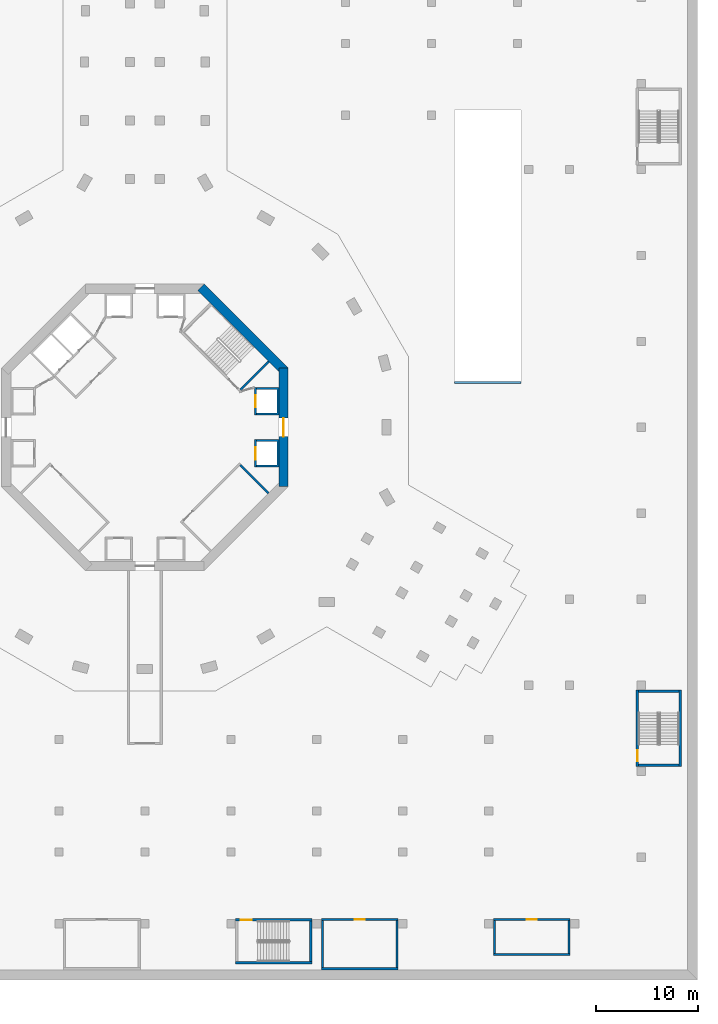
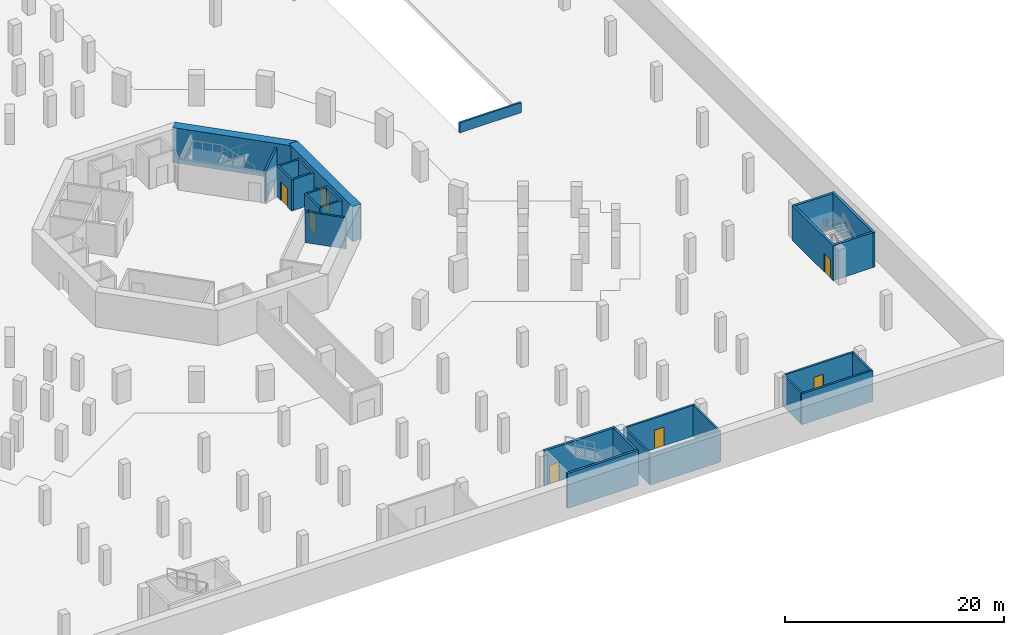
# One storey, part 8 of 25: 24 walls, 7 doors, 7 openings.
"""IFC4 building model written with IfcOpenShell, lengths in metres."""

from ifc_helpers import new_model, si_unit, direction, frame, frame_2d, origin, place, context, subcontext, project, spatial, polyline, rectangle, outline, extrude, material, layer, layer_set, type_object, element, fill, save


model = new_model("IFC4")

# Units and contexts
model_context = context("Model", 3, precision=1e-05, world=origin(), true_north=direction((0.0, 1.0)))
body_context = subcontext(model_context, "Body", "Model", "MODEL_VIEW")
ifc_project = project(units=[si_unit("LENGTHUNIT", "METRE"), si_unit("AREAUNIT", "SQUARE_METRE"), si_unit("VOLUMEUNIT", "CUBIC_METRE"), si_unit("PLANEANGLEUNIT", "RADIAN"), si_unit("MASSUNIT", "GRAM", prefix="KILO")], contexts=[model_context])

# Site, building, storey
site_placement = place(None, origin())
site = spatial("IfcSite", under=ifc_project, at=site_placement, CompositionType="ELEMENT")
building_placement = place(site_placement, origin())
building = spatial("IfcBuilding", under=site, at=building_placement, Name="Verdalira Terraces Hotel", CompositionType="ELEMENT")
storey_placement = place(building_placement, frame((0.0, 0.0, -7.800049)))
storey = spatial("IfcBuildingStorey", under=building, at=storey_placement, Name="B2", CompositionType="ELEMENT", Elevation=-7.800048828125)

# Wall
ifc_material_1 = material(Name="Concrete C50", Category="concrete")
ifc_layer_1 = layer(ifc_material_1, 0.199951171875)
ifc_layer_set_1 = layer_set([ifc_layer_1], Name="Core RC wall 200 C50")
wall_type_1 = type_object("IfcWallType", Name="Core RC wall 200 C50", PredefinedType="SOLIDWALL", material=ifc_layer_set_1)
wall_1_placement = place(storey_placement, origin())
element("IfcWall", 1, at=wall_1_placement, inside=storey, type_object=wall_type_1, Name="B2 shaft wall E1", PredefinedType="SOLIDWALL", context=body_context, shape_type="SweptSolid", body=[
    extrude(outline(polyline([(13.100098, -3.899902), (10.899902, -3.899902), (10.899902, -3.699951), (12.899902, -3.699951), (12.899902, -1.399902), (10.899902, -1.399902), (10.899902, -1.199951), (13.100098, -1.199951), (13.100098, -3.899902)])), origin(), (0.0, 0.0, 1.0), 3.449951),
])

# Wall, opening, door
wall_2_placement = place(storey_placement, frame((10.800049, -1.199951, 0.0), z_axis=(0.0, 0.0, 1.0), x_axis=(0.0, -1.0, 0.0)))
wall_2 = element("IfcWall", 2, at=wall_2_placement, inside=storey, type_object=wall_type_1, Name="B2 shaft front wall E1", PredefinedType="SOLIDWALL", context=body_context, shape_type="SweptSolid", body=[
    extrude(rectangle(XDim=2.699951, YDim=0.199951, at=frame_2d((1.350098, 0.0))), origin(), (0.0, 0.0, 1.0), 3.449951),
])
opening_1_placement = place(wall_2_placement, frame((0.75, 0.0, 0.0)))
opening_1 = element("IfcOpeningElement", 3, at=opening_1_placement, cuts=wall_2, Name="Opening LD-B2-805", PredefinedType="OPENING", context=body_context, shape_type="SweptSolid", body=[
    extrude(rectangle(XDim=1.199951, YDim=2.100098, at=frame_2d((0.600098, 1.050049))), frame((0.0, 0.109863, 0.0), z_axis=(0.0, -1.0, 0.0), x_axis=(1.0, 0.0, 0.0)), (0.0, 0.0, 1.0), 0.219971),
])
ifc_material_2 = material(Name="Stainless steel", Category="steel")
door_type_1 = type_object("IfcDoorType", Name="Landing door 1200 x 2100", OperationType="NOTDEFINED", PredefinedType="DOOR", material=ifc_material_2)
door_1_placement = place(opening_1_placement, origin())
door_1 = element("IfcDoor", 4, at=door_1_placement, inside=storey, type_object=door_type_1, Name="Lift landing door LR1 B2", OperationType="DOUBLE_DOOR_SLIDING", OverallHeight=2.10009765625, OverallWidth=1.199951171875, PredefinedType="DOOR", context=body_context, shape_type="SweptSolid", body=[
    extrude(rectangle(XDim=1.199951, YDim=2.100098, at=frame_2d((0.600098, 1.050049))), frame((0.0, 0.024902, 0.0), z_axis=(0.0, -1.0, 0.0), x_axis=(1.0, 0.0, 0.0)), (0.0, 0.0, 1.0), 0.050049),
])
fill(opening_1, door_1)

# Wall
wall_3_placement = place(storey_placement, origin())
element("IfcWall", 5, at=wall_3_placement, inside=storey, type_object=wall_type_1, Name="B2 shaft wall E2", PredefinedType="SOLIDWALL", context=body_context, shape_type="SweptSolid", body=[
    extrude(outline(polyline([(13.100098, 3.899902), (13.100098, 1.199951), (10.899902, 1.199951), (10.899902, 1.399902), (12.899902, 1.399902), (12.899902, 3.699951), (10.899902, 3.699951), (10.899902, 3.899902), (13.100098, 3.899902)])), origin(), (0.0, 0.0, 1.0), 3.449951),
])

# Wall, opening, door
wall_4_placement = place(storey_placement, frame((10.800049, 1.199951, 0.0), z_axis=(0.0, 0.0, 1.0), x_axis=(0.0, 1.0, 0.0)))
wall_4 = element("IfcWall", 6, at=wall_4_placement, inside=storey, type_object=wall_type_1, Name="B2 shaft front wall E2", PredefinedType="SOLIDWALL", context=body_context, shape_type="SweptSolid", body=[
    extrude(rectangle(XDim=2.699951, YDim=0.199951, at=frame_2d((1.350098, 0.0))), origin(), (0.0, 0.0, 1.0), 3.449951),
])
opening_2_placement = place(wall_4_placement, frame((0.75, 0.0, 0.0)))
opening_2 = element("IfcOpeningElement", 7, at=opening_2_placement, cuts=wall_4, Name="Opening LD-B2-806", PredefinedType="OPENING", context=body_context, shape_type="SweptSolid", body=[
    extrude(rectangle(XDim=1.199951, YDim=2.100098, at=frame_2d((0.600098, 1.050049))), frame((0.0, 0.109863, 0.0), z_axis=(0.0, -1.0, 0.0), x_axis=(1.0, 0.0, 0.0)), (0.0, 0.0, 1.0), 0.219971),
])
door_2_placement = place(opening_2_placement, origin())
door_2 = element("IfcDoor", 8, at=door_2_placement, inside=storey, type_object=door_type_1, Name="Lift landing door LR2 B2", OperationType="DOUBLE_DOOR_SLIDING", OverallHeight=2.10009765625, OverallWidth=1.199951171875, PredefinedType="DOOR", context=body_context, shape_type="SweptSolid", body=[
    extrude(rectangle(XDim=1.199951, YDim=2.100098, at=frame_2d((0.600098, 1.050049))), frame((0.0, 0.024902, 0.0), z_axis=(0.0, -1.0, 0.0), x_axis=(1.0, 0.0, 0.0)), (0.0, 0.0, 1.0), 0.050049),
])
fill(opening_2, door_2)

# Walls
for number, where, z_axis, x_axis, name in (
    (9, (9.33374, 3.677002, 0.0), (0.0, 0.0, 1.0), (0.707106781, 0.707106781, 0.0), "B2 stair ST1 end wall 1"),
    (10, (9.33374, -3.677002, 0.0), (0.0, 0.0, 1.0), (0.707106781, -0.707106781, 0.0), "B2 ST3 plant room wall"),
):
    element("IfcWall", number, at=place(storey_placement, frame(where, z_axis=z_axis, x_axis=x_axis)), inside=storey, type_object=wall_type_1, Name=name, PredefinedType="SOLIDWALL", context=body_context, shape_type="SweptSolid", body=[
        extrude(rectangle(XDim=3.900146, YDim=0.199951, at=frame_2d((1.950195, 0.0))), origin(), (0.0, 0.0, 1.0), 3.449951),
    ])

# Wall, opening, door
ifc_material_3 = material(Name="Concrete C70", Category="concrete")
ifc_layer_2 = layer(ifc_material_3, 0.89990234375)
ifc_layer_set_2 = layer_set([ifc_layer_2], Name="Core wall 900 C70")
wall_type_2 = type_object("IfcWallType", Name="Core wall 900 C70", PredefinedType="SHEAR", material=ifc_layer_set_2)
wall_5_placement = place(storey_placement, frame((13.550049, -5.799072, 0.0), z_axis=(0.0, 0.0, 1.0), x_axis=(0.0, 1.0, 0.0)))
wall_5 = element("IfcWall", 11, at=wall_5_placement, inside=storey, type_object=wall_type_2, Name="Core wall CW-B2-1", PredefinedType="SHEAR", context=body_context, shape_type="SweptSolid", body=[
    extrude(rectangle(XDim=11.598145, YDim=0.899902, at=frame_2d((5.799072, 0.0))), origin(), (0.0, 0.0, 1.0), 3.900146),
])
opening_3_placement = place(wall_5_placement, frame((4.898926, 0.0, 0.0)))
opening_3 = element("IfcOpeningElement", 12, at=opening_3_placement, cuts=wall_5, Name="Opening B2-814", PredefinedType="OPENING", context=body_context, shape_type="SweptSolid", body=[
    extrude(rectangle(XDim=1.800049, YDim=2.100098, at=frame_2d((0.899902, 1.050049))), frame((0.0, 0.459961, 0.0), z_axis=(0.0, -1.0, 0.0), x_axis=(1.0, 0.0, 0.0)), (0.0, 0.0, 1.0), 0.919922),
])
ifc_material_4 = material(Name="Steel fire door", Category="steel")
door_type_2 = type_object("IfcDoorType", Name="Core entry door pair 1800 x 2100", OperationType="NOTDEFINED", PredefinedType="DOOR", material=ifc_material_4)
door_3_placement = place(opening_3_placement, origin())
door_3 = element("IfcDoor", 13, at=door_3_placement, inside=storey, type_object=door_type_2, Name="Core entry door B2 0", OperationType="DOUBLE_DOOR_SINGLE_SWING", OverallHeight=2.10009765625, OverallWidth=1.800048828125, PredefinedType="DOOR", context=body_context, shape_type="SweptSolid", body=[
    extrude(rectangle(XDim=1.800049, YDim=2.100098, at=frame_2d((0.899902, 1.050049))), frame((0.0, 0.024902, 0.0), z_axis=(0.0, -1.0, 0.0), x_axis=(1.0, 0.0, 0.0)), (0.0, 0.0, 1.0), 0.050049),
])
fill(opening_3, door_3)

# Walls
wall_6_placement = place(storey_placement, frame((13.681885, 5.480713, 0.0), z_axis=(0.0, 0.0, 1.0), x_axis=(-0.707106781, 0.707106781, 0.0)))
element("IfcWall", 14, at=wall_6_placement, inside=storey, type_object=wall_type_2, Name="Core wall CW-B2-2", PredefinedType="SHEAR", context=body_context, shape_type="SweptSolid", body=[
    extrude(rectangle(XDim=11.598145, YDim=0.899902, at=frame_2d((5.799072, 0.0))), origin(), (0.0, 0.0, 1.0), 3.900146),
])
ifc_material_5 = material(Name="Concrete C40", Category="concrete")
ifc_layer_3 = layer(ifc_material_5, 0.199951171875)
ifc_layer_set_3 = layer_set([ifc_layer_3], Name="Ramp opening guard 200 C40")
wall_type_3 = type_object("IfcWallType", Name="Ramp opening guard 200 C40", PredefinedType="PARAPET", material=ifc_layer_set_3)
wall_7_placement = place(storey_placement, frame((36.75, 4.399902, 0.0), z_axis=(0.0, 0.0, 1.0), x_axis=(-1.0, 0.0, 0.0)))
element("IfcWall", 15, at=wall_7_placement, inside=storey, type_object=wall_type_3, Name="Ramp opening guard 3", PredefinedType="PARAPET", context=body_context, shape_type="SweptSolid", body=[
    extrude(rectangle(XDim=6.5, YDim=0.199951, at=frame_2d((3.25, 0.0))), origin(), (0.0, 0.0, 1.0), 1.120117),
])

# Wall, opening, door
ifc_material_6 = material(Name="Concrete C40", Category="concrete")
ifc_layer_4 = layer(ifc_material_6, 0.199951171875)
ifc_layer_set_4 = layer_set([ifc_layer_4], Name="Service room wall 200 C40")
wall_type_4 = type_object("IfcWallType", Name="Service room wall 200 C40", PredefinedType="PARTITIONING", material=ifc_layer_set_4)
wall_8_placement = place(storey_placement, frame((17.25, -48.100098, 0.0), z_axis=(0.0, 0.0, 1.0), x_axis=(1.0, 0.0, 0.0)))
wall_8 = element("IfcWall", 16, at=wall_8_placement, inside=storey, type_object=wall_type_4, Name="Plant room wall", PredefinedType="PARTITIONING", context=body_context, shape_type="SweptSolid", body=[
    extrude(rectangle(XDim=7.5, YDim=0.199951, at=frame_2d((3.75, 0.0))), origin(), (0.0, 0.0, 1.0), 3.449951),
])
opening_4_placement = place(wall_8_placement, frame((3.25, 0.0, 0.0)))
opening_4 = element("IfcOpeningElement", 17, at=opening_4_placement, cuts=wall_8, Name="Opening B2-D609", PredefinedType="OPENING", context=body_context, shape_type="SweptSolid", body=[
    extrude(rectangle(XDim=1.0, YDim=2.100098, at=frame_2d((0.5, 1.050049))), frame((0.0, 0.109863, 0.0), z_axis=(0.0, -1.0, 0.0), x_axis=(1.0, 0.0, 0.0)), (0.0, 0.0, 1.0), 0.219971),
])
ifc_material_7 = material(Name="Steel fire door", Category="steel")
door_type_3 = type_object("IfcDoorType", Name="Service room door 1000 x 2100", OperationType="SINGLE_SWING_LEFT", PredefinedType="DOOR", material=ifc_material_7)
door_4_placement = place(opening_4_placement, origin())
door_4 = element("IfcDoor", 18, at=door_4_placement, inside=storey, type_object=door_type_3, Name="Plant room door", OperationType="SINGLE_SWING_LEFT", OverallHeight=2.10009765625, OverallWidth=1.0, PredefinedType="DOOR", context=body_context, shape_type="SweptSolid", body=[
    extrude(rectangle(XDim=1.0, YDim=2.100098, at=frame_2d((0.5, 1.050049))), frame((0.0, 0.024902, 0.0), z_axis=(0.0, -1.0, 0.0), x_axis=(1.0, 0.0, 0.0)), (0.0, 0.0, 1.0), 0.050049),
])
fill(opening_4, door_4)

# Walls
wall_9_placement = place(storey_placement, frame((17.25, -52.899902, 0.0), z_axis=(0.0, 0.0, 1.0), x_axis=(1.0, 0.0, 0.0)))
element("IfcWall", 19, at=wall_9_placement, inside=storey, type_object=wall_type_4, Name="Plant room wall", PredefinedType="PARTITIONING", context=body_context, shape_type="SweptSolid", body=[
    extrude(rectangle(XDim=7.5, YDim=0.199951, at=frame_2d((3.75, 0.0))), origin(), (0.0, 0.0, 1.0), 3.449951),
])
for number, where, z_axis, x_axis, name in (
    (20, (17.350098, -52.800049, 0.0), (0.0, 0.0, 1.0), (0.0, 1.0, 0.0), "Plant room wall"),
    (21, (24.649902, -52.800049, 0.0), (0.0, 0.0, 1.0), (0.0, 1.0, 0.0), "Plant room wall"),
):
    element("IfcWall", number, at=place(storey_placement, frame(where, z_axis=z_axis, x_axis=x_axis)), inside=storey, type_object=wall_type_4, Name=name, PredefinedType="PARTITIONING", context=body_context, shape_type="SweptSolid", body=[
        extrude(rectangle(XDim=4.600098, YDim=0.199951, at=frame_2d((2.300049, 0.0))), origin(), (0.0, 0.0, 1.0), 3.449951),
    ])

# Wall, opening, door
wall_10_placement = place(storey_placement, frame((34.050049, -48.100098, 0.0), z_axis=(0.0, 0.0, 1.0), x_axis=(1.0, 0.0, 0.0)))
wall_10 = element("IfcWall", 22, at=wall_10_placement, inside=storey, type_object=wall_type_4, Name="Store wall", PredefinedType="PARTITIONING", context=body_context, shape_type="SweptSolid", body=[
    extrude(rectangle(XDim=7.5, YDim=0.199951, at=frame_2d((3.75, 0.0))), origin(), (0.0, 0.0, 1.0), 3.449951),
])
opening_5_placement = place(wall_10_placement, frame((3.25, 0.0, 0.0)))
opening_5 = element("IfcOpeningElement", 23, at=opening_5_placement, cuts=wall_10, Name="Opening B2-D612", PredefinedType="OPENING", context=body_context, shape_type="SweptSolid", body=[
    extrude(rectangle(XDim=1.0, YDim=2.100098, at=frame_2d((0.5, 1.050049))), frame((0.0, 0.109863, 0.0), z_axis=(0.0, -1.0, 0.0), x_axis=(1.0, 0.0, 0.0)), (0.0, 0.0, 1.0), 0.219971),
])
door_5_placement = place(opening_5_placement, origin())
door_5 = element("IfcDoor", 24, at=door_5_placement, inside=storey, type_object=door_type_3, Name="Store door", OperationType="SINGLE_SWING_RIGHT", OverallHeight=2.10009765625, OverallWidth=1.0, PredefinedType="DOOR", context=body_context, shape_type="SweptSolid", body=[
    extrude(rectangle(XDim=1.0, YDim=2.100098, at=frame_2d((0.5, 1.050049))), frame((0.0, 0.024902, 0.0), z_axis=(0.0, -1.0, 0.0), x_axis=(1.0, 0.0, 0.0)), (0.0, 0.0, 1.0), 0.050049),
])
fill(opening_5, door_5)

# Walls
wall_11_placement = place(storey_placement, frame((34.050049, -51.5, 0.0), z_axis=(0.0, 0.0, 1.0), x_axis=(1.0, 0.0, 0.0)))
element("IfcWall", 25, at=wall_11_placement, inside=storey, type_object=wall_type_4, Name="Store wall", PredefinedType="PARTITIONING", context=body_context, shape_type="SweptSolid", body=[
    extrude(rectangle(XDim=7.5, YDim=0.199951, at=frame_2d((3.75, 0.0))), origin(), (0.0, 0.0, 1.0), 3.449951),
])
for number, where, z_axis, x_axis, name in (
    (26, (34.149902, -51.399902, 0.0), (0.0, 0.0, 1.0), (0.0, 1.0, 0.0), "Store wall"),
    (27, (41.449951, -51.399902, 0.0), (0.0, 0.0, 1.0), (0.0, 1.0, 0.0), "Store wall"),
):
    element("IfcWall", number, at=place(storey_placement, frame(where, z_axis=z_axis, x_axis=x_axis)), inside=storey, type_object=wall_type_4, Name=name, PredefinedType="PARTITIONING", context=body_context, shape_type="SweptSolid", body=[
        extrude(rectangle(XDim=3.199951, YDim=0.199951, at=frame_2d((1.600098, 0.0))), origin(), (0.0, 0.0, 1.0), 3.449951),
    ])

# Wall, opening, door
ifc_material_8 = material(Name="Concrete C40", Category="concrete")
ifc_layer_5 = layer(ifc_material_8, 0.25)
ifc_layer_set_5 = layer_set([ifc_layer_5], Name="Stair enclosure wall 250 C40")
wall_type_5 = type_object("IfcWallType", Name="Stair enclosure wall 250 C40", PredefinedType="SOLIDWALL", material=ifc_layer_set_5)
wall_12_placement = place(storey_placement, frame((48.125, -33.149902, 0.0), z_axis=(0.0, 0.0, 1.0), x_axis=(0.0, 1.0, 0.0)))
wall_12 = element("IfcWall", 28, at=wall_12_placement, inside=storey, type_object=wall_type_5, Name="Stair BS2 enclosure wall", PredefinedType="SOLIDWALL", context=body_context, shape_type="SweptSolid", body=[
    extrude(rectangle(XDim=7.5, YDim=0.25, at=frame_2d((3.75, 0.0))), origin(), (0.0, 0.0, 1.0), 3.900146),
])
opening_6_placement = place(wall_12_placement, frame((0.5, 0.0, 0.0)))
opening_6 = element("IfcOpeningElement", 29, at=opening_6_placement, cuts=wall_12, Name="Opening B2-D602", PredefinedType="OPENING", context=body_context, shape_type="SweptSolid", body=[
    extrude(rectangle(XDim=1.100098, YDim=2.100098, at=frame_2d((0.550049, 1.050049))), frame((0.0, 0.13501, 0.0), z_axis=(0.0, -1.0, 0.0), x_axis=(1.0, 0.0, 0.0)), (0.0, 0.0, 1.0), 0.27002),
])
ifc_material_9 = material(Name="Steel fire door", Category="steel")
door_type_4 = type_object("IfcDoorType", Name="Stair door 1100 x 2100", OperationType="SINGLE_SWING_LEFT", PredefinedType="DOOR", material=ifc_material_9)
door_6_placement = place(opening_6_placement, origin())
door_6 = element("IfcDoor", 30, at=door_6_placement, inside=storey, type_object=door_type_4, Name="Stair BS2 door", OperationType="SINGLE_SWING_RIGHT", OverallHeight=2.10009765625, OverallWidth=1.10009765625, PredefinedType="DOOR", context=body_context, shape_type="SweptSolid", body=[
    extrude(rectangle(XDim=1.100098, YDim=2.100098, at=frame_2d((0.550049, 1.050049))), frame((0.0, 0.024902, 0.0), z_axis=(0.0, -1.0, 0.0), x_axis=(1.0, 0.0, 0.0)), (0.0, 0.0, 1.0), 0.050049),
])
fill(opening_6, door_6)

# Walls
wall_13_placement = place(storey_placement, frame((52.324951, -33.149902, 0.0), z_axis=(0.0, 0.0, 1.0), x_axis=(0.0, 1.0, 0.0)))
element("IfcWall", 31, at=wall_13_placement, inside=storey, type_object=wall_type_5, Name="Stair BS2 enclosure wall", PredefinedType="SOLIDWALL", context=body_context, shape_type="SweptSolid", body=[
    extrude(rectangle(XDim=7.5, YDim=0.25, at=frame_2d((3.75, 0.0))), origin(), (0.0, 0.0, 1.0), 3.900146),
])
for number, where, z_axis, x_axis, name in (
    (32, (52.199951, -33.024902, 0.0), (0.0, 0.0, 1.0), (-1.0, 0.0, 0.0), "Stair BS2 enclosure wall"),
    (33, (52.199951, -25.774902, 0.0), (0.0, 0.0, 1.0), (-1.0, 0.0, 0.0), "Stair BS2 enclosure wall"),
):
    element("IfcWall", number, at=place(storey_placement, frame(where, z_axis=z_axis, x_axis=x_axis)), inside=storey, type_object=wall_type_5, Name=name, PredefinedType="SOLIDWALL", context=body_context, shape_type="SweptSolid", body=[
        extrude(rectangle(XDim=3.949951, YDim=0.25, at=frame_2d((1.975098, 0.0))), origin(), (0.0, 0.0, 1.0), 3.900146),
    ])

# Wall, opening, door
wall_14_placement = place(storey_placement, frame((8.850098, -48.125, 0.0), z_axis=(0.0, 0.0, 1.0), x_axis=(1.0, 0.0, 0.0)))
wall_14 = element("IfcWall", 34, at=wall_14_placement, inside=storey, type_object=wall_type_5, Name="Stair BS6 enclosure wall", PredefinedType="SOLIDWALL", context=body_context, shape_type="SweptSolid", body=[
    extrude(rectangle(XDim=7.5, YDim=0.25, at=frame_2d((3.75, 0.0))), origin(), (0.0, 0.0, 1.0), 3.900146),
])
opening_7_placement = place(wall_14_placement, frame((0.5, 0.0, 0.0)))
opening_7 = element("IfcOpeningElement", 35, at=opening_7_placement, cuts=wall_14, Name="Opening B2-D606", PredefinedType="OPENING", context=body_context, shape_type="SweptSolid", body=[
    extrude(rectangle(XDim=1.100098, YDim=2.100098, at=frame_2d((0.550049, 1.050049))), frame((0.0, 0.13501, 0.0), z_axis=(0.0, -1.0, 0.0), x_axis=(1.0, 0.0, 0.0)), (0.0, 0.0, 1.0), 0.27002),
])
door_7_placement = place(opening_7_placement, origin())
door_7 = element("IfcDoor", 36, at=door_7_placement, inside=storey, type_object=door_type_4, Name="Stair BS6 door", OperationType="SINGLE_SWING_RIGHT", OverallHeight=2.10009765625, OverallWidth=1.10009765625, PredefinedType="DOOR", context=body_context, shape_type="SweptSolid", body=[
    extrude(rectangle(XDim=1.100098, YDim=2.100098, at=frame_2d((0.550049, 1.050049))), frame((0.0, 0.024902, 0.0), z_axis=(0.0, -1.0, 0.0), x_axis=(1.0, 0.0, 0.0)), (0.0, 0.0, 1.0), 0.050049),
])
fill(opening_7, door_7)

# Walls
wall_15_placement = place(storey_placement, frame((8.850098, -52.324951, 0.0), z_axis=(0.0, 0.0, 1.0), x_axis=(1.0, 0.0, 0.0)))
element("IfcWall", 37, at=wall_15_placement, inside=storey, type_object=wall_type_5, Name="Stair BS6 enclosure wall", PredefinedType="SOLIDWALL", context=body_context, shape_type="SweptSolid", body=[
    extrude(rectangle(XDim=7.5, YDim=0.25, at=frame_2d((3.75, 0.0))), origin(), (0.0, 0.0, 1.0), 3.900146),
])
wall_16_placement = place(storey_placement, frame((16.225098, -52.199951, 0.0), z_axis=(0.0, 0.0, 1.0), x_axis=(0.0, 1.0, 0.0)))
element("IfcWall", 38, at=wall_16_placement, inside=storey, type_object=wall_type_5, Name="Stair BS6 enclosure wall", PredefinedType="SOLIDWALL", context=body_context, shape_type="SweptSolid", body=[
    extrude(rectangle(XDim=3.949951, YDim=0.25, at=frame_2d((1.975098, 0.0))), origin(), (0.0, 0.0, 1.0), 3.900146),
])

save(model, "model.ifc")
